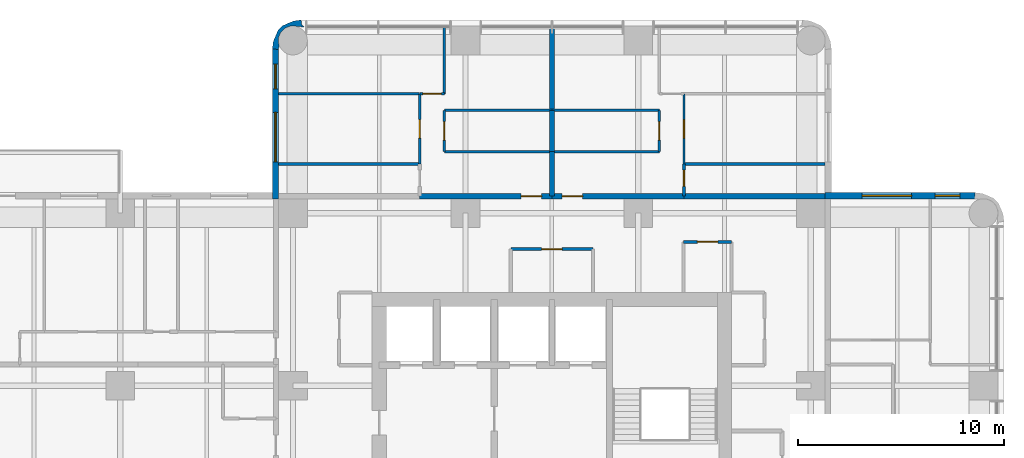
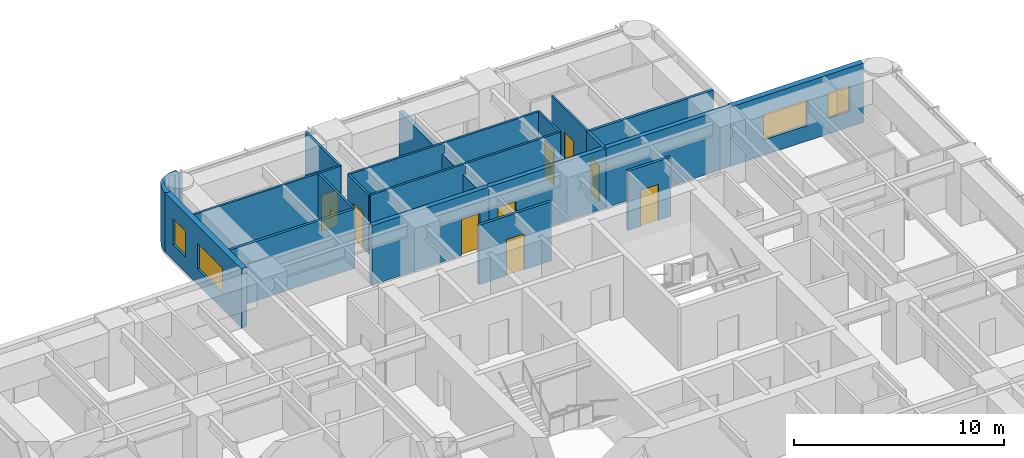
# One storey, part 9 of 11: 25 walls, 10 doors, 4 windows, 14 openings.
"""IFC4 building model written with IfcOpenShell, lengths in metres."""

from ifc_helpers import new_model, si_unit, direction, frame, frame_2d, origin, place, context, subcontext, project, spatial, polyline, rectangle, outline, extrude, material, layer, layer_set, type_object, element, fill, save


model = new_model("IFC4")

# Units and contexts
model_context = context("Model", 3, precision=1e-05, world=origin(), true_north=direction((0.0, 1.0)))
body_context = subcontext(model_context, "Body", "Model", "MODEL_VIEW")
ifc_project = project(units=[si_unit("LENGTHUNIT", "METRE"), si_unit("AREAUNIT", "SQUARE_METRE"), si_unit("VOLUMEUNIT", "CUBIC_METRE"), si_unit("PLANEANGLEUNIT", "RADIAN"), si_unit("MASSUNIT", "GRAM", prefix="KILO")], contexts=[model_context])

# Site, building, storey
site_placement = place(None, origin())
site = spatial("IfcSite", under=ifc_project, at=site_placement, CompositionType="ELEMENT")
building_placement = place(site_placement, origin())
building = spatial("IfcBuilding", under=site, at=building_placement, Name="Torre Alcanfor", CompositionType="ELEMENT")
storey_placement = place(building_placement, frame((0.0, 0.0, 215.699951171875)))
storey = spatial("IfcBuildingStorey", under=building, at=storey_placement, Name="L56", CompositionType="ELEMENT", Elevation=215.699951171875)

# Wall, opening, door
ifc_material_1 = material(Name="Concrete block masonry, hollow blocks NMX-C-404 9 MPa", Category="masonry")
ifc_layer_1 = layer(ifc_material_1, 0.25)
ifc_layer_set_1 = layer_set([ifc_layer_1], Name="Apartment entrance wall 250 EI 60")
wall_type_1 = type_object("IfcWallType", Name="Apartment entrance wall 250 EI 60", PredefinedType="PARTITIONING", material=ifc_layer_set_1)
wall_1_placement = place(storey_placement, frame((22.970947265625, 42.824951171875, 0.0), z_axis=(0.0, 0.0, 1.0), x_axis=(1.0, 0.0, 0.0)))
wall_1 = element("IfcWall", 1, at=wall_1_placement, inside=storey, type_object=wall_type_1, Name="Partition L56-CORR / L56-N1-LIVING", PredefinedType="PARTITIONING", context=body_context, shape_type="SweptSolid", body=[
    extrude(rectangle(XDim=6.428955078125, YDim=0.25, at=frame_2d((3.21435546875, 0.0))), origin(), (0.0, 0.0, 1.0), 3.449951171875),
])
opening_1_placement = place(wall_1_placement, frame((4.928955078125, 0.0, 0.0)))
opening_1 = element("IfcOpeningElement", 2, at=opening_1_placement, cuts=wall_1, Name="Opening D-A1", PredefinedType="OPENING", context=body_context, shape_type="SweptSolid", body=[
    extrude(rectangle(XDim=1.0, YDim=2.10009765625, at=frame_2d((0.5, 1.050048828125))), frame((0.0, 0.135009765625, 0.0), z_axis=(0.0, -1.0, 0.0), x_axis=(1.0, 0.0, 0.0)), (0.0, 0.0, 1.0), 0.27001953125),
])
ifc_material_2 = material(Name="Galvanised steel sheet ASTM A653", Category="steel")
door_type_1 = type_object("IfcDoorType", Name="Apartment entrance door FD60 1000x2100", OperationType="SINGLE_SWING_LEFT", PredefinedType="DOOR", material=ifc_material_2)
door_1_placement = place(opening_1_placement, origin())
door_1 = element("IfcDoor", 3, at=door_1_placement, inside=storey, type_object=door_type_1, Name="Apartment entrance L56-N1", OperationType="SINGLE_SWING_RIGHT", OverallHeight=2.10009765625, OverallWidth=1.0, PredefinedType="DOOR", context=body_context, shape_type="SweptSolid", body=[
    extrude(rectangle(XDim=1.0, YDim=2.10009765625, at=frame_2d((0.5, 1.050048828125))), frame((0.0, 0.02490234375, 0.0), z_axis=(0.0, -1.0, 0.0), x_axis=(1.0, 0.0, 0.0)), (0.0, 0.0, 1.0), 0.050048828125),
])
fill(opening_1, door_1)

wall_2_placement = place(storey_placement, frame((29.39990234375, 42.824951171875, 0.0), z_axis=(0.0, 0.0, 1.0), x_axis=(1.0, 0.0, 0.0)))
wall_2 = element("IfcWall", 4, at=wall_2_placement, inside=storey, type_object=wall_type_1, Name="Partition L56-CORR / L56-N2-LIVING", PredefinedType="PARTITIONING", context=body_context, shape_type="SweptSolid", body=[
    extrude(rectangle(XDim=6.42919921875, YDim=0.25, at=frame_2d((3.214599609375, 0.0))), origin(), (0.0, 0.0, 1.0), 3.449951171875),
])
opening_2_placement = place(wall_2_placement, frame((0.5, 0.0, 0.0)))
opening_2 = element("IfcOpeningElement", 5, at=opening_2_placement, cuts=wall_2, Name="Opening D-A1", PredefinedType="OPENING", context=body_context, shape_type="SweptSolid", body=[
    extrude(rectangle(XDim=1.0, YDim=2.10009765625, at=frame_2d((0.5, 1.050048828125))), frame((0.0, 0.135009765625, 0.0), z_axis=(0.0, -1.0, 0.0), x_axis=(1.0, 0.0, 0.0)), (0.0, 0.0, 1.0), 0.27001953125),
])
door_2_placement = place(opening_2_placement, origin())
door_2 = element("IfcDoor", 6, at=door_2_placement, inside=storey, type_object=door_type_1, Name="Apartment entrance L56-N2", OperationType="SINGLE_SWING_LEFT", OverallHeight=2.10009765625, OverallWidth=1.0, PredefinedType="DOOR", context=body_context, shape_type="SweptSolid", body=[
    extrude(rectangle(XDim=1.0, YDim=2.10009765625, at=frame_2d((0.5, 1.050048828125))), frame((0.0, 0.02490234375, 0.0), z_axis=(0.0, -1.0, 0.0), x_axis=(1.0, 0.0, 0.0)), (0.0, 0.0, 1.0), 0.050048828125),
])
fill(opening_2, door_2)

# Walls
wall_3_placement = place(storey_placement, frame((35.8291015625, 42.824951171875, 0.0), z_axis=(0.0, 0.0, 1.0), x_axis=(1.0, 0.0, 0.0)))
element("IfcWall", 7, at=wall_3_placement, inside=storey, type_object=wall_type_1, Name="Partition L56-CORR / L56-N2-BATH", PredefinedType="PARTITIONING", context=body_context, shape_type="SweptSolid", body=[
    extrude(rectangle(XDim=6.870849609375, YDim=0.25, at=frame_2d((3.435546875, 0.0))), origin(), (0.0, 0.0, 1.0), 3.449951171875),
])
ifc_material_3 = material(Name="Gypsum board on steel studs", Category="steel")
ifc_layer_2 = layer(ifc_material_3, 0.1201171875)
ifc_layer_set_2 = layer_set([ifc_layer_2], Name="Apartment partition 120")
wall_type_2 = type_object("IfcWallType", Name="Apartment partition 120", PredefinedType="PARTITIONING", material=ifc_layer_set_2)
wall_4_placement = place(storey_placement, frame((29.39990234375, 47.0, 0.0), z_axis=(0.0, 0.0, 1.0), x_axis=(-1.0, 0.0, 0.0)))
element("IfcWall", 8, at=wall_4_placement, inside=storey, type_object=wall_type_2, Name="Partition L56-N1-KITCHEN / L56-N1-LIVING", PredefinedType="PARTITIONING", context=body_context, shape_type="SweptSolid", body=[
    extrude(rectangle(XDim=5.22900390625, YDim=0.1201171875, at=frame_2d((2.614501953125, 0.0))), origin(), (0.0, 0.0, 1.0), 3.449951171875),
])

# Wall, opening, door
wall_5_placement = place(storey_placement, frame((24.1708984375, 47.0, 0.0), z_axis=(0.0, 0.0, 1.0), x_axis=(0.0, -1.0, 0.0)))
wall_5 = element("IfcWall", 9, at=wall_5_placement, inside=storey, type_object=wall_type_2, Name="Partition L56-N1-KITCHEN / L56-N1-LIVING", PredefinedType="PARTITIONING", context=body_context, shape_type="SweptSolid", body=[
    extrude(rectangle(XDim=2.0, YDim=0.1201171875, at=frame_2d((1.0, 0.0))), origin(), (0.0, 0.0, 1.0), 3.449951171875),
])
opening_3_placement = place(wall_5_placement, frame((0.550048828125, 0.0, 0.0)))
opening_3 = element("IfcOpeningElement", 10, at=opening_3_placement, cuts=wall_5, Name="Opening D-R1", PredefinedType="OPENING", context=body_context, shape_type="SweptSolid", body=[
    extrude(rectangle(XDim=0.89990234375, YDim=2.10009765625, at=frame_2d((0.449951171875, 1.050048828125))), frame((0.0, 0.070068359375, 0.0), z_axis=(0.0, -1.0, 0.0), x_axis=(1.0, 0.0, 0.0)), (0.0, 0.0, 1.0), 0.14013671875),
])
ifc_material_4 = material(Name="Timber", Category="wood")
door_type_2 = type_object("IfcDoorType", Name="Internal door 900x2100", OperationType="SINGLE_SWING_LEFT", PredefinedType="DOOR", material=ifc_material_4)
door_3_placement = place(opening_3_placement, origin())
door_3 = element("IfcDoor", 11, at=door_3_placement, inside=storey, type_object=door_type_2, Name="Door L56-N1 kitchen", OperationType="SINGLE_SWING_LEFT", OverallHeight=2.10009765625, OverallWidth=0.89990234375, PredefinedType="DOOR", context=body_context, shape_type="SweptSolid", body=[
    extrude(rectangle(XDim=0.89990234375, YDim=2.10009765625, at=frame_2d((0.449951171875, 1.050048828125))), frame((0.0, 0.02490234375, 0.0), z_axis=(0.0, -1.0, 0.0), x_axis=(1.0, 0.0, 0.0)), (0.0, 0.0, 1.0), 0.050048828125),
])
fill(opening_3, door_3)

# Wall
wall_6_placement = place(storey_placement, frame((24.1708984375, 45.0, 0.0), z_axis=(0.0, 0.0, 1.0), x_axis=(1.0, 0.0, 0.0)))
element("IfcWall", 12, at=wall_6_placement, inside=storey, type_object=wall_type_2, Name="Partition L56-N1-KITCHEN / L56-N1-LIVING", PredefinedType="PARTITIONING", context=body_context, shape_type="SweptSolid", body=[
    extrude(rectangle(XDim=5.22900390625, YDim=0.1201171875, at=frame_2d((2.614501953125, 0.0))), origin(), (0.0, 0.0, 1.0), 3.449951171875),
])

# Wall, opening, door
wall_7_placement = place(storey_placement, frame((22.970947265625, 44.39990234375, 0.0), z_axis=(0.0, 0.0, 1.0), x_axis=(0.0, 1.0, 0.0)))
wall_7 = element("IfcWall", 13, at=wall_7_placement, inside=storey, type_object=wall_type_2, Name="Partition L56-N1-LIVING / L56-N1-STUDY", PredefinedType="PARTITIONING", context=body_context, shape_type="SweptSolid", body=[
    extrude(rectangle(XDim=3.400146484375, YDim=0.1201171875, at=frame_2d((1.7001953125, 0.0))), origin(), (0.0, 0.0, 1.0), 3.449951171875),
])
opening_4_placement = place(wall_7_placement, frame((1.25, 0.0, 0.0)))
opening_4 = element("IfcOpeningElement", 14, at=opening_4_placement, cuts=wall_7, Name="Opening D-R1", PredefinedType="OPENING", context=body_context, shape_type="SweptSolid", body=[
    extrude(rectangle(XDim=0.89990234375, YDim=2.10009765625, at=frame_2d((0.449951171875, 1.050048828125))), frame((0.0, 0.070068359375, 0.0), z_axis=(0.0, -1.0, 0.0), x_axis=(1.0, 0.0, 0.0)), (0.0, 0.0, 1.0), 0.14013671875),
])
door_4_placement = place(opening_4_placement, origin())
door_4 = element("IfcDoor", 15, at=door_4_placement, inside=storey, type_object=door_type_2, Name="Door L56-N1 study", OperationType="SINGLE_SWING_LEFT", OverallHeight=2.10009765625, OverallWidth=0.89990234375, PredefinedType="DOOR", context=body_context, shape_type="SweptSolid", body=[
    extrude(rectangle(XDim=0.89990234375, YDim=2.10009765625, at=frame_2d((0.449951171875, 1.050048828125))), frame((0.0, 0.02490234375, 0.0), z_axis=(0.0, -1.0, 0.0), x_axis=(1.0, 0.0, 0.0)), (0.0, 0.0, 1.0), 0.050048828125),
])
fill(opening_4, door_4)

wall_8_placement = place(storey_placement, frame((22.970947265625, 47.800048828125, 0.0), z_axis=(0.0, 0.0, 1.0), x_axis=(1.0, 0.0, 0.0)))
wall_8 = element("IfcWall", 16, at=wall_8_placement, inside=storey, type_object=wall_type_2, Name="Partition L56-N1-LIVING / L56-N1-MASTER", PredefinedType="PARTITIONING", context=body_context, shape_type="SweptSolid", body=[
    extrude(rectangle(XDim=1.199951171875, YDim=0.1201171875, at=frame_2d((0.60009765625, 0.0))), origin(), (0.0, 0.0, 1.0), 3.449951171875),
])
opening_5_placement = place(wall_8_placement, frame((0.14892578125, 0.0, 0.0)))
opening_5 = element("IfcOpeningElement", 17, at=opening_5_placement, cuts=wall_8, Name="Opening D-R1", PredefinedType="OPENING", context=body_context, shape_type="SweptSolid", body=[
    extrude(rectangle(XDim=0.89990234375, YDim=2.10009765625, at=frame_2d((0.449951171875, 1.050048828125))), frame((0.0, 0.070068359375, 0.0), z_axis=(0.0, -1.0, 0.0), x_axis=(1.0, 0.0, 0.0)), (0.0, 0.0, 1.0), 0.14013671875),
])
door_5_placement = place(opening_5_placement, origin())
door_5 = element("IfcDoor", 18, at=door_5_placement, inside=storey, type_object=door_type_2, Name="Door L56-N1 master", OperationType="SINGLE_SWING_RIGHT", OverallHeight=2.10009765625, OverallWidth=0.89990234375, PredefinedType="DOOR", context=body_context, shape_type="SweptSolid", body=[
    extrude(rectangle(XDim=0.89990234375, YDim=2.10009765625, at=frame_2d((0.449951171875, 1.050048828125))), frame((0.0, 0.02490234375, 0.0), z_axis=(0.0, -1.0, 0.0), x_axis=(1.0, 0.0, 0.0)), (0.0, 0.0, 1.0), 0.050048828125),
])
fill(opening_5, door_5)

# Walls
wall_9_placement = place(storey_placement, frame((24.1708984375, 47.800048828125, 0.0), z_axis=(0.0, 0.0, 1.0), x_axis=(0.0, 1.0, 0.0)))
element("IfcWall", 19, at=wall_9_placement, inside=storey, type_object=wall_type_2, Name="Partition L56-N1-LIVING / L56-N1-MASTER", PredefinedType="PARTITIONING", context=body_context, shape_type="SweptSolid", body=[
    extrude(rectangle(XDim=3.25, YDim=0.1201171875, at=frame_2d((1.625, 0.0))), origin(), (0.0, 0.0, 1.0), 3.449951171875),
])
wall_10_placement = place(storey_placement, frame((22.970947265625, 47.800048828125, 0.0), z_axis=(0.0, 0.0, 1.0), x_axis=(-1.0, 0.0, 0.0)))
element("IfcWall", 20, at=wall_10_placement, inside=storey, type_object=wall_type_2, Name="Partition L56-N1-STUDY / L56-N1-MASTER", PredefinedType="PARTITIONING", context=body_context, shape_type="SweptSolid", body=[
    extrude(rectangle(XDim=6.870849609375, YDim=0.1201171875, at=frame_2d((3.435546875, 0.0))), origin(), (0.0, 0.0, 1.0), 3.449951171875),
])
wall_11_placement = place(storey_placement, frame((29.39990234375, 47.0, 0.0), z_axis=(0.0, 0.0, 1.0), x_axis=(1.0, 0.0, 0.0)))
element("IfcWall", 21, at=wall_11_placement, inside=storey, type_object=wall_type_2, Name="Partition L56-N2-KITCHEN / L56-N2-LIVING", PredefinedType="PARTITIONING", context=body_context, shape_type="SweptSolid", body=[
    extrude(rectangle(XDim=5.22900390625, YDim=0.1201171875, at=frame_2d((2.614501953125, 0.0))), origin(), (0.0, 0.0, 1.0), 3.449951171875),
])

# Wall, opening, door
wall_12_placement = place(storey_placement, frame((34.62890625, 47.0, 0.0), z_axis=(0.0, 0.0, 1.0), x_axis=(0.0, -1.0, 0.0)))
wall_12 = element("IfcWall", 22, at=wall_12_placement, inside=storey, type_object=wall_type_2, Name="Partition L56-N2-KITCHEN / L56-N2-LIVING", PredefinedType="PARTITIONING", context=body_context, shape_type="SweptSolid", body=[
    extrude(rectangle(XDim=2.0, YDim=0.1201171875, at=frame_2d((1.0, 0.0))), origin(), (0.0, 0.0, 1.0), 3.449951171875),
])
opening_6_placement = place(wall_12_placement, frame((0.550048828125, 0.0, 0.0)))
opening_6 = element("IfcOpeningElement", 23, at=opening_6_placement, cuts=wall_12, Name="Opening D-R1", PredefinedType="OPENING", context=body_context, shape_type="SweptSolid", body=[
    extrude(rectangle(XDim=0.89990234375, YDim=2.10009765625, at=frame_2d((0.449951171875, 1.050048828125))), frame((0.0, 0.070068359375, 0.0), z_axis=(0.0, -1.0, 0.0), x_axis=(1.0, 0.0, 0.0)), (0.0, 0.0, 1.0), 0.14013671875),
])
door_6_placement = place(opening_6_placement, frame((0.89990234375, 0.0, 0.0), z_axis=(0.0, 0.0, 1.0), x_axis=(-1.0, 0.0, 0.0)))
door_6 = element("IfcDoor", 24, at=door_6_placement, inside=storey, type_object=door_type_2, Name="Door L56-N2 kitchen", OperationType="SINGLE_SWING_RIGHT", OverallHeight=2.10009765625, OverallWidth=0.89990234375, PredefinedType="DOOR", context=body_context, shape_type="SweptSolid", body=[
    extrude(rectangle(XDim=0.89990234375, YDim=2.10009765625, at=frame_2d((0.449951171875, 1.050048828125))), frame((0.0, 0.025146484375, 0.0), z_axis=(0.0, -1.0, 0.0), x_axis=(1.0, 0.0, 0.0)), (0.0, 0.0, 1.0), 0.050048828125),
])
fill(opening_6, door_6)

# Wall
wall_13_placement = place(storey_placement, frame((34.62890625, 45.0, 0.0), z_axis=(0.0, 0.0, 1.0), x_axis=(-1.0, 0.0, 0.0)))
element("IfcWall", 25, at=wall_13_placement, inside=storey, type_object=wall_type_2, Name="Partition L56-N2-KITCHEN / L56-N2-LIVING", PredefinedType="PARTITIONING", context=body_context, shape_type="SweptSolid", body=[
    extrude(rectangle(XDim=5.22900390625, YDim=0.1201171875, at=frame_2d((2.614501953125, 0.0))), origin(), (0.0, 0.0, 1.0), 3.449951171875),
])

# Wall, opening, door
wall_14_placement = place(storey_placement, frame((35.8291015625, 47.800048828125, 0.0), z_axis=(0.0, 0.0, 1.0), x_axis=(0.0, -1.0, 0.0)))
wall_14 = element("IfcWall", 26, at=wall_14_placement, inside=storey, type_object=wall_type_2, Name="Partition L56-N2-LIVING / L56-N2-STUDY", PredefinedType="PARTITIONING", context=body_context, shape_type="SweptSolid", body=[
    extrude(rectangle(XDim=3.400146484375, YDim=0.1201171875, at=frame_2d((1.7001953125, 0.0))), origin(), (0.0, 0.0, 1.0), 3.449951171875),
])
opening_7_placement = place(wall_14_placement, frame((1.25, 0.0, 0.0)))
opening_7 = element("IfcOpeningElement", 27, at=opening_7_placement, cuts=wall_14, Name="Opening D-R1", PredefinedType="OPENING", context=body_context, shape_type="SweptSolid", body=[
    extrude(rectangle(XDim=0.89990234375, YDim=2.10009765625, at=frame_2d((0.449951171875, 1.050048828125))), frame((0.0, 0.070068359375, 0.0), z_axis=(0.0, -1.0, 0.0), x_axis=(1.0, 0.0, 0.0)), (0.0, 0.0, 1.0), 0.14013671875),
])
door_7_placement = place(opening_7_placement, origin())
door_7 = element("IfcDoor", 28, at=door_7_placement, inside=storey, type_object=door_type_2, Name="Door L56-N2 study", OperationType="SINGLE_SWING_LEFT", OverallHeight=2.10009765625, OverallWidth=0.89990234375, PredefinedType="DOOR", context=body_context, shape_type="SweptSolid", body=[
    extrude(rectangle(XDim=0.89990234375, YDim=2.10009765625, at=frame_2d((0.449951171875, 1.050048828125))), frame((0.0, 0.02490234375, 0.0), z_axis=(0.0, -1.0, 0.0), x_axis=(1.0, 0.0, 0.0)), (0.0, 0.0, 1.0), 0.050048828125),
])
fill(opening_7, door_7)

# Wall, openings, windows
ifc_material_5 = material(Name="Limestone cladding", Category="masonry")
ifc_layer_3 = layer(ifc_material_5, 0.0400390625, Name="Facing")
ifc_material_6 = material(Name="Ventilated air cavity")
ifc_layer_4 = layer(ifc_material_6, 0.02001953125, ventilated=True, Name="Ventilated joint")
ifc_material_7 = material(Name="Mineral wool insulation", Category="insulation")
ifc_layer_5 = layer(ifc_material_7, 0.10009765625, Name="Insulation")
ifc_material_8 = material(Name="Concrete f'c 35 MPa", Category="concrete")
ifc_layer_6 = layer(ifc_material_8, 0.139892578125, Name="Backing")
ifc_layer_set_3 = layer_set([ifc_layer_3, ifc_layer_4, ifc_layer_5, ifc_layer_6], Name="External wall stone-clad 300")
wall_type_3 = type_object("IfcWallType", Name="External wall stone-clad 300", PredefinedType="SOLIDWALL", material=ifc_layer_set_3)
wall_15_placement = place(storey_placement, frame((50.0, 42.85009765625, 0.0), z_axis=(0.0, 0.0, 1.0), x_axis=(-1.0, 0.0, 0.0)))
wall_15 = element("IfcWall", 29, at=wall_15_placement, inside=storey, type_object=wall_type_3, Name="External wall L56 9", PredefinedType="SOLIDWALL", context=body_context, shape_type="SweptSolid", body=[
    extrude(rectangle(XDim=7.300048828125, YDim=0.300048828125, at=frame_2d((3.64990234375, 0.0))), origin(), (0.0, 0.0, 1.0), 3.449951171875),
])
opening_8_placement = place(wall_15_placement, frame((3.10009765625, 0.0, 0.89990234375)))
opening_8 = element("IfcOpeningElement", 30, at=opening_8_placement, cuts=wall_15, Name="Opening W1", PredefinedType="OPENING", context=body_context, shape_type="SweptSolid", body=[
    extrude(rectangle(XDim=2.39990234375, YDim=1.5, at=frame_2d((1.199951171875, 0.75))), frame((0.0, 0.159912109375, 0.0), z_axis=(0.0, -1.0, 0.0), x_axis=(1.0, 0.0, 0.0)), (0.0, 0.0, 1.0), 0.320068359375),
])
opening_9_placement = place(wall_15_placement, frame((0.75, 0.0, 0.89990234375)))
opening_9 = element("IfcOpeningElement", 31, at=opening_9_placement, cuts=wall_15, Name="Opening W4", PredefinedType="OPENING", context=body_context, shape_type="SweptSolid", body=[
    extrude(rectangle(XDim=1.199951171875, YDim=1.5, at=frame_2d((0.60009765625, 0.75))), frame((0.0, 0.159912109375, 0.0), z_axis=(0.0, -1.0, 0.0), x_axis=(1.0, 0.0, 0.0)), (0.0, 0.0, 1.0), 0.320068359375),
])
ifc_material_9 = material(Name="Aluminium frame with clear double glazing", Category="aluminium")
window_type_1 = type_object("IfcWindowType", Name="Window bedroom 1200x1500", PartitioningType="SINGLE_PANEL", PredefinedType="WINDOW", material=ifc_material_9)
window_1_placement = place(opening_9_placement, origin())
window_1 = element("IfcWindow", 32, at=window_1_placement, inside=storey, type_object=window_type_1, Name="Window W4 L56-E1", OverallHeight=1.5, OverallWidth=1.199951171875, PartitioningType="SINGLE_PANEL", PredefinedType="WINDOW", context=body_context, shape_type="SweptSolid", body=[
    extrude(rectangle(XDim=1.199951171875, YDim=1.5, at=frame_2d((0.60009765625, 0.75))), frame((0.0, 0.030029296875, 0.0), z_axis=(0.0, -1.0, 0.0), x_axis=(1.0, 0.0, 0.0)), (0.0, 0.0, 1.0), 0.06005859375),
])
fill(opening_9, window_1)
ifc_material_10 = material(Name="Aluminium frame with clear double glazing", Category="aluminium")
window_type_2 = type_object("IfcWindowType", Name="Window bedroom 2400x1500", PartitioningType="SINGLE_PANEL", PredefinedType="WINDOW", material=ifc_material_10)
window_2_placement = place(opening_8_placement, origin())
window_2 = element("IfcWindow", 33, at=window_2_placement, inside=storey, type_object=window_type_2, Name="Window W1 L56-E1", OverallHeight=1.5, OverallWidth=2.39990234375, PartitioningType="SINGLE_PANEL", PredefinedType="WINDOW", context=body_context, shape_type="SweptSolid", body=[
    extrude(rectangle(XDim=2.39990234375, YDim=1.5, at=frame_2d((1.199951171875, 0.75))), frame((0.0, 0.030029296875, 0.0), z_axis=(0.0, -1.0, 0.0), x_axis=(1.0, 0.0, 0.0)), (0.0, 0.0, 1.0), 0.06005859375),
])
fill(opening_8, window_2)

wall_16_placement = place(storey_placement, frame((15.949951171875, 50.0, 0.0), z_axis=(0.0, 0.0, 1.0), x_axis=(0.0, -1.0, 0.0)))
wall_16 = element("IfcWall", 34, at=wall_16_placement, inside=storey, type_object=wall_type_3, Name="External wall L56 12", PredefinedType="SOLIDWALL", context=body_context, shape_type="SweptSolid", body=[
    extrude(rectangle(XDim=7.300048828125, YDim=0.300048828125, at=frame_2d((3.64990234375, 0.0))), origin(), (0.0, 0.0, 1.0), 3.449951171875),
])
opening_10_placement = place(wall_16_placement, frame((3.10009765625, 0.0, 0.89990234375)))
opening_10 = element("IfcOpeningElement", 35, at=opening_10_placement, cuts=wall_16, Name="Opening W1", PredefinedType="OPENING", context=body_context, shape_type="SweptSolid", body=[
    extrude(rectangle(XDim=2.39990234375, YDim=1.5, at=frame_2d((1.199951171875, 0.75))), frame((0.0, 0.159912109375, 0.0), z_axis=(0.0, -1.0, 0.0), x_axis=(1.0, 0.0, 0.0)), (0.0, 0.0, 1.0), 0.320068359375),
])
opening_11_placement = place(wall_16_placement, frame((0.75, 0.0, 0.89990234375)))
opening_11 = element("IfcOpeningElement", 36, at=opening_11_placement, cuts=wall_16, Name="Opening W4", PredefinedType="OPENING", context=body_context, shape_type="SweptSolid", body=[
    extrude(rectangle(XDim=1.199951171875, YDim=1.5, at=frame_2d((0.60009765625, 0.75))), frame((0.0, 0.159912109375, 0.0), z_axis=(0.0, -1.0, 0.0), x_axis=(1.0, 0.0, 0.0)), (0.0, 0.0, 1.0), 0.320068359375),
])
window_3_placement = place(opening_11_placement, origin())
window_3 = element("IfcWindow", 37, at=window_3_placement, inside=storey, type_object=window_type_1, Name="Window W4 L56-N1", OverallHeight=1.5, OverallWidth=1.199951171875, PartitioningType="SINGLE_PANEL", PredefinedType="WINDOW", context=body_context, shape_type="SweptSolid", body=[
    extrude(rectangle(XDim=1.199951171875, YDim=1.5, at=frame_2d((0.60009765625, 0.75))), frame((0.0, 0.030029296875, 0.0), z_axis=(0.0, -1.0, 0.0), x_axis=(1.0, 0.0, 0.0)), (0.0, 0.0, 1.0), 0.06005859375),
])
fill(opening_11, window_3)
window_4_placement = place(opening_10_placement, origin())
window_4 = element("IfcWindow", 38, at=window_4_placement, inside=storey, type_object=window_type_2, Name="Window W1 L56-N1", OverallHeight=1.5, OverallWidth=2.39990234375, PartitioningType="SINGLE_PANEL", PredefinedType="WINDOW", context=body_context, shape_type="SweptSolid", body=[
    extrude(rectangle(XDim=2.39990234375, YDim=1.5, at=frame_2d((1.199951171875, 0.75))), frame((0.0, 0.030029296875, 0.0), z_axis=(0.0, -1.0, 0.0), x_axis=(1.0, 0.0, 0.0)), (0.0, 0.0, 1.0), 0.06005859375),
])
fill(opening_10, window_4)

# Walls
ifc_material_11 = material(Name="Concrete block masonry, hollow blocks NMX-C-404 9 MPa", Category="masonry")
ifc_layer_7 = layer(ifc_material_11, 0.25)
ifc_layer_set_4 = layer_set([ifc_layer_7], Name="Party wall 250 EI 60")
wall_type_4 = type_object("IfcWallType", Name="Party wall 250 EI 60", PredefinedType="PARTITIONING", material=ifc_layer_set_4)
wall_17_placement = place(storey_placement, frame((29.39990234375, 45.0, 0.0), z_axis=(0.0, 0.0, 1.0), x_axis=(0.0, 1.0, 0.0)))
element("IfcWall", 39, at=wall_17_placement, inside=storey, type_object=wall_type_4, Name="Partition L56-N1-KITCHEN / L56-N2-KITCHEN", PredefinedType="PARTITIONING", context=body_context, shape_type="SweptSolid", body=[
    extrude(rectangle(XDim=2.0, YDim=0.25, at=frame_2d((1.0, 0.0))), origin(), (0.0, 0.0, 1.0), 2.84814453125),
])
wall_18_placement = place(storey_placement, frame((29.39990234375, 45.0, 0.0), z_axis=(0.0, 0.0, 1.0), x_axis=(0.0, -1.0, 0.0)))
element("IfcWall", 40, at=wall_18_placement, inside=storey, type_object=wall_type_4, Name="Partition L56-N1-LIVING / L56-N2-LIVING", PredefinedType="PARTITIONING", context=body_context, shape_type="SweptSolid", body=[
    extrude(rectangle(XDim=2.175048828125, YDim=0.25, at=frame_2d((1.08740234375, 0.0))), origin(), (0.0, 0.0, 1.0), 2.84814453125),
])
wall_19_placement = place(storey_placement, frame((29.39990234375, 51.050048828125, 0.0), z_axis=(0.0, 0.0, 1.0), x_axis=(0.0, -1.0, 0.0)))
element("IfcWall", 41, at=wall_19_placement, inside=storey, type_object=wall_type_4, Name="Partition L56-N1-LIVING / L56-N2-LIVING", PredefinedType="PARTITIONING", context=body_context, shape_type="SweptSolid", body=[
    extrude(rectangle(XDim=4.050048828125, YDim=0.25, at=frame_2d((2.02490234375, 0.0))), origin(), (0.0, 0.0, 1.0), 2.84814453125),
])

# Wall, opening, door
ifc_material_12 = material(Name="Concrete block masonry, hollow blocks NMX-C-404 9 MPa", Category="masonry")
ifc_layer_8 = layer(ifc_material_12, 0.14990234375)
ifc_layer_set_5 = layer_set([ifc_layer_8], Name="Residents' room partition 150")
wall_type_5 = type_object("IfcWallType", Name="Residents' room partition 150", PredefinedType="PARTITIONING", material=ifc_layer_set_5)
wall_20_placement = place(storey_placement, frame((31.39990234375, 40.25, 0.0), z_axis=(0.0, 0.0, 1.0), x_axis=(-1.0, 0.0, 0.0)))
wall_20 = element("IfcWall", 42, at=wall_20_placement, inside=storey, type_object=wall_type_5, Name="Partition L56-CORR / L56-G01", PredefinedType="PARTITIONING", context=body_context, shape_type="SweptSolid", body=[
    extrude(rectangle(XDim=4.0, YDim=0.14990234375, at=frame_2d((2.0, 0.0))), origin(), (0.0, 0.0, 1.0), 3.449951171875),
])
opening_12_placement = place(wall_20_placement, frame((1.5, 0.0, 0.0)))
opening_12 = element("IfcOpeningElement", 43, at=opening_12_placement, cuts=wall_20, Name="Opening D-M1", PredefinedType="OPENING", context=body_context, shape_type="SweptSolid", body=[
    extrude(rectangle(XDim=1.0, YDim=2.10009765625, at=frame_2d((0.5, 1.050048828125))), frame((0.0, 0.0849609375, 0.0), z_axis=(0.0, -1.0, 0.0), x_axis=(1.0, 0.0, 0.0)), (0.0, 0.0, 1.0), 0.169921875),
])
ifc_material_13 = material(Name="Timber", Category="wood")
door_type_3 = type_object("IfcDoorType", Name="Residents' room door 1000x2100", OperationType="SINGLE_SWING_LEFT", PredefinedType="DOOR", material=ifc_material_13)
door_8_placement = place(opening_12_placement, origin())
door_8 = element("IfcDoor", 44, at=door_8_placement, inside=storey, type_object=door_type_3, Name="Door L56-G01 linen store", OperationType="SINGLE_SWING_LEFT", OverallHeight=2.10009765625, OverallWidth=1.0, PredefinedType="DOOR", context=body_context, shape_type="SweptSolid", body=[
    extrude(rectangle(XDim=1.0, YDim=2.10009765625, at=frame_2d((0.5, 1.050048828125))), frame((0.0, 0.02490234375, 0.0), z_axis=(0.0, -1.0, 0.0), x_axis=(1.0, 0.0, 0.0)), (0.0, 0.0, 1.0), 0.050048828125),
])
fill(opening_12, door_8)

wall_21_placement = place(storey_placement, frame((38.14990234375, 40.60009765625, 0.0), z_axis=(0.0, 0.0, 1.0), x_axis=(-1.0, 0.0, 0.0)))
wall_21 = element("IfcWall", 45, at=wall_21_placement, inside=storey, type_object=wall_type_5, Name="Partition L56-CORR / L56-G02", PredefinedType="PARTITIONING", context=body_context, shape_type="SweptSolid", body=[
    extrude(rectangle(XDim=2.349853515625, YDim=0.14990234375, at=frame_2d((1.1748046875, 0.0))), origin(), (0.0, 0.0, 1.0), 3.449951171875),
])
opening_13_placement = place(wall_21_placement, frame((0.675048828125, 0.0, 0.0)))
opening_13 = element("IfcOpeningElement", 46, at=opening_13_placement, cuts=wall_21, Name="Opening D-M1", PredefinedType="OPENING", context=body_context, shape_type="SweptSolid", body=[
    extrude(rectangle(XDim=1.0, YDim=2.10009765625, at=frame_2d((0.5, 1.050048828125))), frame((0.0, 0.0849609375, 0.0), z_axis=(0.0, -1.0, 0.0), x_axis=(1.0, 0.0, 0.0)), (0.0, 0.0, 1.0), 0.169921875),
])
door_9_placement = place(opening_13_placement, origin())
door_9 = element("IfcDoor", 47, at=door_9_placement, inside=storey, type_object=door_type_3, Name="Door L56-G02 residents' lockers", OperationType="SINGLE_SWING_LEFT", OverallHeight=2.10009765625, OverallWidth=1.0, PredefinedType="DOOR", context=body_context, shape_type="SweptSolid", body=[
    extrude(rectangle(XDim=1.0, YDim=2.10009765625, at=frame_2d((0.5, 1.050048828125))), frame((0.0, 0.02490234375, 0.0), z_axis=(0.0, -1.0, 0.0), x_axis=(1.0, 0.0, 0.0)), (0.0, 0.0, 1.0), 0.050048828125),
])
fill(opening_13, door_9)

# Walls
ifc_layer_9 = layer(ifc_material_5, 0.0400390625, Name="Facing")
ifc_layer_10 = layer(ifc_material_6, 0.02001953125, ventilated=True, Name="Ventilated joint")
ifc_layer_11 = layer(ifc_material_7, 0.10009765625, Name="Insulation")
ifc_layer_12 = layer(ifc_material_8, 0.139892578125, Name="Backing")
ifc_layer_set_6 = layer_set([ifc_layer_9, ifc_layer_10, ifc_layer_11, ifc_layer_12], Name="Rounded corner pier stone-clad 300")
wall_type_6 = type_object("IfcWallType", Name="Rounded corner pier stone-clad 300", PredefinedType="SOLIDWALL", material=ifc_layer_set_6)
wall_22_placement = place(storey_placement, frame((17.312325495, 50.98815184, 0.0), z_axis=(0.0, 0.0, 1.0), x_axis=(-0.439933741929, 0.898030234854, 0.0)))
element("IfcWall", 48, at=wall_22_placement, inside=storey, type_object=wall_type_6, Name="Corner pier L56 20", PredefinedType="SOLIDWALL", context=body_context, shape_type="SweptSolid", body=[
    extrude(outline(polyline([(0.1377143835604198, -0.039385181817258766), (0.1818364553516057, -0.0003747232930663008), (0.4192016580531099, -0.08022740006820503), (0.5358388106960636, 0.26607727478531357), (0.5587531272282371, 0.6308374918089354), (0.5545485345760868, 0.6511120475500328), (0.5663705271242188, 0.8356242584424797), (0.45553712270786306, 1.1593357577081085), (0.33310540567156155, 1.2978817433582523), (0.3240010425966217, 1.316478699637952), (0.08232775629815992, 1.5906485457460864), (-0.22208869605726766, 1.7927915068834772), (-0.3896080971502234, 1.5407383104861123), (-0.3718491984629172, 1.532038448890355), (-0.1945577897528935, 1.41446516530517), (-0.1197255547664915, 1.4096136894189937), (0.13065299215824444, 1.286956381488686), (0.3152401217440383, 1.07772560900137), (0.4057142184300525, 0.8140105545565798), (0.3881041552353981, 0.5355508442955765), (0.26544684730509027, 0.28517229737084054), (0.20907264065944553, 0.23558040158200633), (0.14755628183616776, 0.052848260637269044), (0.10502262325175554, 0.07368496618760154), (0.031879342428165675, -0.0756213301834538), (0.1377143835604198, -0.039385181817258766)])), origin(), (0.0, 0.0, 1.0), 3.449951171875),
])
ifc_material_14 = material(Name="Cement board on steel studs", Category="steel")
ifc_layer_13 = layer(ifc_material_14, 0.14990234375)
ifc_layer_set_7 = layer_set([ifc_layer_13], Name="Wet area partition 150")
wall_type_7 = type_object("IfcWallType", Name="Wet area partition 150", PredefinedType="PARTITIONING", material=ifc_layer_set_7)
wall_23_placement = place(storey_placement, frame((22.970947265625, 44.39990234375, 0.0), z_axis=(0.0, 0.0, 1.0), x_axis=(-1.0, 0.0, 0.0)))
element("IfcWall", 49, at=wall_23_placement, inside=storey, type_object=wall_type_7, Name="Partition L56-N1-BATH / L56-N1-STUDY", PredefinedType="PARTITIONING", context=body_context, shape_type="SweptSolid", body=[
    extrude(rectangle(XDim=6.870849609375, YDim=0.14990234375, at=frame_2d((3.435546875, 0.0))), origin(), (0.0, 0.0, 1.0), 3.449951171875),
])

# Wall, opening, door
wall_24_placement = place(storey_placement, frame((35.8291015625, 44.39990234375, 0.0), z_axis=(0.0, 0.0, 1.0), x_axis=(0.0, -1.0, 0.0)))
wall_24 = element("IfcWall", 50, at=wall_24_placement, inside=storey, type_object=wall_type_7, Name="Partition L56-N2-LIVING / L56-N2-BATH", PredefinedType="PARTITIONING", context=body_context, shape_type="SweptSolid", body=[
    extrude(rectangle(XDim=1.574951171875, YDim=0.14990234375, at=frame_2d((0.78759765625, 0.0))), origin(), (0.0, 0.0, 1.0), 3.449951171875),
])
opening_14_placement = place(wall_24_placement, frame((0.300048828125, 0.0, 0.0)))
opening_14 = element("IfcOpeningElement", 51, at=opening_14_placement, cuts=wall_24, Name="Opening D-R2", PredefinedType="OPENING", context=body_context, shape_type="SweptSolid", body=[
    extrude(rectangle(XDim=0.800048828125, YDim=2.10009765625, at=frame_2d((0.39990234375, 1.050048828125))), frame((0.0, 0.0849609375, 0.0), z_axis=(0.0, -1.0, 0.0), x_axis=(1.0, 0.0, 0.0)), (0.0, 0.0, 1.0), 0.169921875),
])
ifc_material_15 = material(Name="Timber", Category="wood")
door_type_4 = type_object("IfcDoorType", Name="Bathroom door 800x2100", OperationType="SINGLE_SWING_LEFT", PredefinedType="DOOR", material=ifc_material_15)
door_10_placement = place(opening_14_placement, origin())
door_10 = element("IfcDoor", 52, at=door_10_placement, inside=storey, type_object=door_type_4, Name="Door L56-N2 bath", OperationType="SINGLE_SWING_LEFT", OverallHeight=2.10009765625, OverallWidth=0.800048828125, PredefinedType="DOOR", context=body_context, shape_type="SweptSolid", body=[
    extrude(rectangle(XDim=0.800048828125, YDim=2.10009765625, at=frame_2d((0.39990234375, 1.050048828125))), frame((0.0, 0.02490234375, 0.0), z_axis=(0.0, -1.0, 0.0), x_axis=(1.0, 0.0, 0.0)), (0.0, 0.0, 1.0), 0.050048828125),
])
fill(opening_14, door_10)

# Wall
wall_25_placement = place(storey_placement, frame((35.8291015625, 44.39990234375, 0.0), z_axis=(0.0, 0.0, 1.0), x_axis=(1.0, 0.0, 0.0)))
element("IfcWall", 53, at=wall_25_placement, inside=storey, type_object=wall_type_7, Name="Partition L56-N2-BATH / L56-N2-STUDY", PredefinedType="PARTITIONING", context=body_context, shape_type="SweptSolid", body=[
    extrude(rectangle(XDim=6.870849609375, YDim=0.14990234375, at=frame_2d((3.435546875, 0.0))), origin(), (0.0, 0.0, 1.0), 3.449951171875),
])

save(model, "model.ifc")
